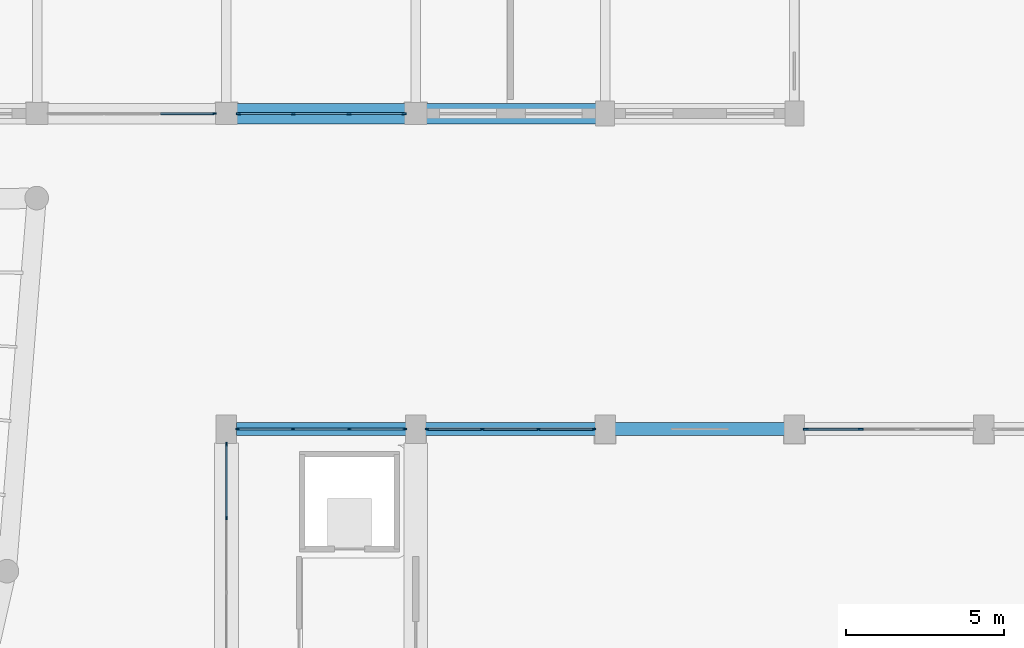
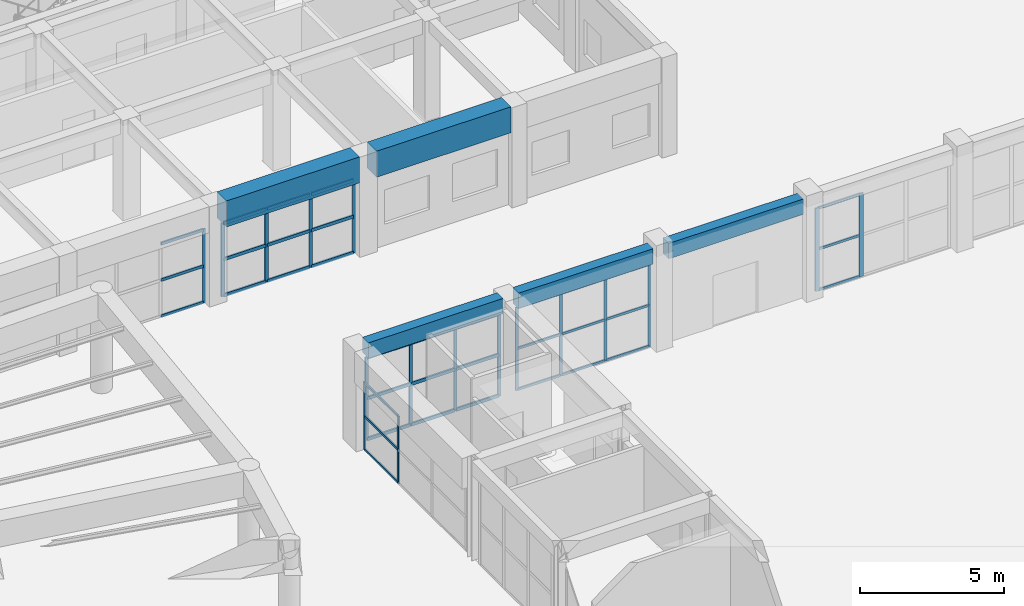
# One storey, part 25 of 76: 53 members, 5 beams, 6 elements without a shape of their own.
"""IFC4 building model written with IfcOpenShell, lengths in metres."""

from ifc_helpers import new_model, si_unit, direction, frame, origin, origin_2d, place, context, subcontext, project, spatial, rectangle, extrude, material, layer, layer_set, material_profile, profile_set, type_object, element, aggregate, save


model = new_model("IFC4")

# Units and contexts
model_context = context("Model", 3, precision=1e-05, world=origin(), true_north=direction((0.0, 1.0)))
body_context = subcontext(model_context, "Body", "Model", "MODEL_VIEW")
ifc_project = project(units=[si_unit("LENGTHUNIT", "METRE"), si_unit("AREAUNIT", "SQUARE_METRE"), si_unit("VOLUMEUNIT", "CUBIC_METRE"), si_unit("PLANEANGLEUNIT", "RADIAN"), si_unit("MASSUNIT", "GRAM", prefix="KILO"), si_unit("POWERUNIT", "WATT"), si_unit("THERMODYNAMICTEMPERATUREUNIT", "KELVIN")], contexts=[model_context])

# Site, building, storey
site_placement = place(None, origin())
site = spatial("IfcSite", under=ifc_project, at=site_placement, CompositionType="ELEMENT")
building_placement = place(site_placement, origin())
building = spatial("IfcBuilding", under=site, at=building_placement, Name="Ruvembo Vaulted Housing Court", CompositionType="ELEMENT")
storey_placement = place(building_placement, origin())
storey = spatial("IfcBuildingStorey", under=building, at=storey_placement, Name="L00", CompositionType="ELEMENT", Elevation=0.0)

# Beams
ifc_material_1 = material(Name="Concrete C35/45", Category="concrete")
ifc_material_profile_1 = material_profile(ifc_material_1, rectangle(XDim=0.39990234375, YDim=0.64990234375, at=origin_2d()), Name="RC 400x650")
ifc_profile_set_1 = profile_set([ifc_material_profile_1], Name="Concrete C35/45")
beam_type_1 = type_object("IfcBeamType", Name="BM-RC-400x650", PredefinedType="BEAM", material=ifc_profile_set_1)
for number, where, z_axis, x_axis, name in (
    (1, (66.31005859375, 68.0, 3.905029296875), (1.0, 0.0, 0.0), (0.0, 1.0, 0.0), "L00 Grid Beam X #845"),
    (2, (72.31005859375, 68.0, 3.905029296875), (1.0, 0.0, 0.0), (0.0, 1.0, 0.0), "L00 Grid Beam X #846"),
    (3, (78.31005859375, 68.0, 3.905029296875), (1.0, 0.0, 0.0), (0.0, 1.0, 0.0), "L00 Grid Beam X #847"),
):
    element("IfcBeam", number, at=place(storey_placement, frame(where, z_axis=z_axis, x_axis=x_axis)), inside=storey, type_object=beam_type_1, Name=name, PredefinedType="BEAM", context=body_context, shape_type="SweptSolid", body=[
        extrude(rectangle(XDim=0.39990234375, YDim=0.64990234375, at=origin_2d()), origin(), (0.0, 0.0, 1.0), 5.3798828125),
    ])

# Curtain wall, member
ifc_material_2 = material(Name="Anodised Aluminium and Solar-Control Glass", Category="aluminium")
ifc_layer_1 = layer(ifc_material_2, 0.159912109375, Name="Anodised Aluminium and Solar-Control Glass")
ifc_layer_set_1 = layer_set([ifc_layer_1], Name="Anodised Aluminium and Solar-Control Glass")
curtain_wall_type_1 = type_object("IfcCurtainWallType", Name="CW-LOBBY", PredefinedType="NOTDEFINED", material=ifc_layer_set_1)
curtain_wall_1_placement = place(storey_placement, origin())
curtain_wall_1 = element("IfcCurtainWall", 4, at=curtain_wall_1_placement, inside=storey, type_object=curtain_wall_type_1, Name="L00 Curtain Wall CW-L00-0003", PredefinedType="NOTDEFINED")
ifc_material_3 = material(Name="Anodised Aluminium 6063-T6", Category="aluminium")
ifc_material_profile_2 = material_profile(ifc_material_3, rectangle(XDim=0.054931640625, YDim=0.1201171875, at=origin_2d()), Name="ALU 55x120")
ifc_profile_set_2 = profile_set([ifc_material_profile_2], Name="Anodised Aluminium 6063-T6")
member_type_1 = type_object("IfcMemberType", Name="CW-MUL-55x120", PredefinedType="MULLION", material=ifc_profile_set_2)
member_1_placement = place(storey_placement, frame((65.62255859375, 78.0, 0.0), z_axis=(0.0, 0.0, 1.0), x_axis=(0.0, 1.0, 0.0)))
member_1 = element("IfcMember", 5, at=member_1_placement, type_object=member_type_1, Name="CW5 mullion 4", PredefinedType="MULLION", context=body_context, shape_type="SweptSolid", body=[
    extrude(rectangle(XDim=0.054931640625, YDim=0.1201171875, at=origin_2d()), origin(), (0.0, 0.0, 1.0), 3.112060546875),
])

# Curtain wall, members
ifc_layer_2 = layer(ifc_material_2, 0.159912109375, Name="Anodised Aluminium and Solar-Control Glass")
ifc_layer_set_2 = layer_set([ifc_layer_2], Name="Anodised Aluminium and Solar-Control Glass")
curtain_wall_type_2 = type_object("IfcCurtainWallType", Name="CW-HALL-SIDE", PredefinedType="NOTDEFINED", material=ifc_layer_set_2)
curtain_wall_2_placement = place(storey_placement, origin())
curtain_wall_2 = element("IfcCurtainWall", 6, at=curtain_wall_2_placement, inside=storey, type_object=curtain_wall_type_2, Name="L00 Curtain Wall CW-L00-0091", PredefinedType="NOTDEFINED")
member_2_placement = place(storey_placement, frame((66.3525390625, 68.0, 0.0), z_axis=(0.0, 0.0, 1.0), x_axis=(0.0, 1.0, 0.0)))
member_2 = element("IfcMember", 7, at=member_2_placement, type_object=member_type_1, Name="CW1 mullion 1", PredefinedType="MULLION", context=body_context, shape_type="SweptSolid", body=[
    extrude(rectangle(XDim=0.054931640625, YDim=0.1201171875, at=origin_2d()), origin(), (0.0, 0.0, 1.0), 3.511962890625),
])
member_3_placement = place(storey_placement, frame((68.1083984375, 68.0, 0.0), z_axis=(0.0, 0.0, 1.0), x_axis=(0.0, 1.0, 0.0)))
member_3 = element("IfcMember", 8, at=member_3_placement, type_object=member_type_1, Name="CW1 mullion 2", PredefinedType="MULLION", context=body_context, shape_type="SweptSolid", body=[
    extrude(rectangle(XDim=0.054931640625, YDim=0.1201171875, at=origin_2d()), origin(), (0.0, 0.0, 1.0), 3.511962890625),
])
member_4_placement = place(storey_placement, frame((69.8916015625, 68.0, 0.0), z_axis=(0.0, 0.0, 1.0), x_axis=(0.0, 1.0, 0.0)))
member_4 = element("IfcMember", 9, at=member_4_placement, type_object=member_type_1, Name="CW1 mullion 3", PredefinedType="MULLION", context=body_context, shape_type="SweptSolid", body=[
    extrude(rectangle(XDim=0.054931640625, YDim=0.1201171875, at=origin_2d()), origin(), (0.0, 0.0, 1.0), 3.511962890625),
])
member_5_placement = place(storey_placement, frame((71.6474609375, 68.0, 0.0), z_axis=(0.0, 0.0, 1.0), x_axis=(0.0, 1.0, 0.0)))
member_5 = element("IfcMember", 10, at=member_5_placement, type_object=member_type_1, Name="CW1 mullion 4", PredefinedType="MULLION", context=body_context, shape_type="SweptSolid", body=[
    extrude(rectangle(XDim=0.054931640625, YDim=0.1201171875, at=origin_2d()), origin(), (0.0, 0.0, 1.0), 3.511962890625),
])

curtain_wall_3_placement = place(storey_placement, origin())
curtain_wall_3 = element("IfcCurtainWall", 11, at=curtain_wall_3_placement, inside=storey, type_object=curtain_wall_type_2, Name="L00 Curtain Wall CW-L00-0095", PredefinedType="NOTDEFINED")
member_6_placement = place(storey_placement, frame((72.3525390625, 68.0, 0.0), z_axis=(0.0, 0.0, 1.0), x_axis=(0.0, 1.0, 0.0)))
member_6 = element("IfcMember", 12, at=member_6_placement, type_object=member_type_1, Name="CW1 mullion 1", PredefinedType="MULLION", context=body_context, shape_type="SweptSolid", body=[
    extrude(rectangle(XDim=0.054931640625, YDim=0.1201171875, at=origin_2d()), origin(), (0.0, 0.0, 1.0), 3.511962890625),
])
member_7_placement = place(storey_placement, frame((74.1083984375, 68.0, 0.0), z_axis=(0.0, 0.0, 1.0), x_axis=(0.0, 1.0, 0.0)))
member_7 = element("IfcMember", 13, at=member_7_placement, type_object=member_type_1, Name="CW1 mullion 2", PredefinedType="MULLION", context=body_context, shape_type="SweptSolid", body=[
    extrude(rectangle(XDim=0.054931640625, YDim=0.1201171875, at=origin_2d()), origin(), (0.0, 0.0, 1.0), 3.511962890625),
])
member_8_placement = place(storey_placement, frame((75.8916015625, 68.0, 0.0), z_axis=(0.0, 0.0, 1.0), x_axis=(0.0, 1.0, 0.0)))
member_8 = element("IfcMember", 14, at=member_8_placement, type_object=member_type_1, Name="CW1 mullion 3", PredefinedType="MULLION", context=body_context, shape_type="SweptSolid", body=[
    extrude(rectangle(XDim=0.054931640625, YDim=0.1201171875, at=origin_2d()), origin(), (0.0, 0.0, 1.0), 3.511962890625),
])
member_9_placement = place(storey_placement, frame((77.6474609375, 68.0, 0.0), z_axis=(0.0, 0.0, 1.0), x_axis=(0.0, 1.0, 0.0)))
member_9 = element("IfcMember", 15, at=member_9_placement, type_object=member_type_1, Name="CW1 mullion 4", PredefinedType="MULLION", context=body_context, shape_type="SweptSolid", body=[
    extrude(rectangle(XDim=0.054931640625, YDim=0.1201171875, at=origin_2d()), origin(), (0.0, 0.0, 1.0), 3.511962890625),
])

ifc_layer_3 = layer(ifc_material_2, 0.179931640625, Name="Anodised Aluminium and Solar-Control Glass")
ifc_layer_set_3 = layer_set([ifc_layer_3], Name="Anodised Aluminium and Solar-Control Glass")
curtain_wall_type_3 = type_object("IfcCurtainWallType", Name="CW-HALL-TYMP", PredefinedType="NOTDEFINED", material=ifc_layer_set_3)
curtain_wall_4_placement = place(storey_placement, origin())
curtain_wall_4 = element("IfcCurtainWall", 16, at=curtain_wall_4_placement, inside=storey, type_object=curtain_wall_type_3, Name="L00 Curtain Wall CW-L00-0119", PredefinedType="NOTDEFINED")
member_10_placement = place(storey_placement, frame((66.0, 65.183349609375, 0.0), z_axis=(0.0, 0.0, 1.0), x_axis=(-1.0, 0.0, 0.0)))
member_10 = element("IfcMember", 17, at=member_10_placement, type_object=member_type_1, Name="CW2 mullion 3", PredefinedType="MULLION", context=body_context, shape_type="SweptSolid", body=[
    extrude(rectangle(XDim=0.054931640625, YDim=0.1201171875, at=origin_2d()), origin(), (0.0, 0.0, 1.0), 2.862060546875),
])
member_11_placement = place(storey_placement, frame((66.0, 67.5224609375, 0.0), z_axis=(0.0, 0.0, 1.0), x_axis=(-1.0, 0.0, 0.0)))
member_11 = element("IfcMember", 18, at=member_11_placement, type_object=member_type_1, Name="CW2 mullion 4", PredefinedType="MULLION", context=body_context, shape_type="SweptSolid", body=[
    extrude(rectangle(XDim=0.054931640625, YDim=0.1201171875, at=origin_2d()), origin(), (0.0, 0.0, 1.0), 2.862060546875),
])

curtain_wall_5_placement = place(storey_placement, origin())
curtain_wall_5 = element("IfcCurtainWall", 19, at=curtain_wall_5_placement, inside=storey, type_object=curtain_wall_type_1, Name="L00 Curtain Wall CW-L00-0004", PredefinedType="NOTDEFINED")
ifc_material_profile_3 = material_profile(ifc_material_3, rectangle(XDim=0.06005859375, YDim=0.139892578125, at=origin_2d()), Name="ALU 60x140")
ifc_profile_set_3 = profile_set([ifc_material_profile_3], Name="Anodised Aluminium 6063-T6")
member_type_2 = type_object("IfcMemberType", Name="CW-MUL-60x140", PredefinedType="MULLION", material=ifc_profile_set_3)
member_12_placement = place(storey_placement, frame((66.3798828125, 78.0, 0.0), z_axis=(0.0, 0.0, 1.0), x_axis=(0.0, 1.0, 0.0)))
member_12 = element("IfcMember", 20, at=member_12_placement, type_object=member_type_2, Name="CW5 mullion 1", PredefinedType="MULLION", context=body_context, shape_type="SweptSolid", body=[
    extrude(rectangle(XDim=0.06005859375, YDim=0.139892578125, at=origin_2d()), origin(), (0.0, 0.0, 1.0), 3.112060546875),
])
member_13_placement = place(storey_placement, frame((68.11669921875, 78.0, 0.0), z_axis=(0.0, 0.0, 1.0), x_axis=(0.0, 1.0, 0.0)))
member_13 = element("IfcMember", 21, at=member_13_placement, type_object=member_type_2, Name="CW5 mullion 2", PredefinedType="MULLION", context=body_context, shape_type="SweptSolid", body=[
    extrude(rectangle(XDim=0.06005859375, YDim=0.139892578125, at=origin_2d()), origin(), (0.0, 0.0, 1.0), 3.112060546875),
])
member_14_placement = place(storey_placement, frame((69.88330078125, 78.0, 0.0), z_axis=(0.0, 0.0, 1.0), x_axis=(0.0, 1.0, 0.0)))
member_14 = element("IfcMember", 22, at=member_14_placement, type_object=member_type_2, Name="CW5 mullion 3", PredefinedType="MULLION", context=body_context, shape_type="SweptSolid", body=[
    extrude(rectangle(XDim=0.06005859375, YDim=0.139892578125, at=origin_2d()), origin(), (0.0, 0.0, 1.0), 3.112060546875),
])
member_15_placement = place(storey_placement, frame((71.6201171875, 78.0, 0.0), z_axis=(0.0, 0.0, 1.0), x_axis=(0.0, 1.0, 0.0)))
member_15 = element("IfcMember", 23, at=member_15_placement, type_object=member_type_2, Name="CW5 mullion 4", PredefinedType="MULLION", context=body_context, shape_type="SweptSolid", body=[
    extrude(rectangle(XDim=0.06005859375, YDim=0.139892578125, at=origin_2d()), origin(), (0.0, 0.0, 1.0), 3.112060546875),
])

curtain_wall_6_placement = place(storey_placement, origin())
curtain_wall_6 = element("IfcCurtainWall", 24, at=curtain_wall_6_placement, inside=storey, type_object=curtain_wall_type_2, Name="L00 Curtain Wall CW-L00-0101", PredefinedType="NOTDEFINED")
ifc_material_profile_4 = material_profile(ifc_material_3, rectangle(XDim=0.06005859375, YDim=0.159912109375, at=origin_2d()), Name="ALU 60x160")
ifc_profile_set_4 = profile_set([ifc_material_profile_4], Name="Anodised Aluminium 6063-T6")
member_type_3 = type_object("IfcMemberType", Name="CW-MULLION-65x150", PredefinedType="MULLION", material=ifc_profile_set_4)
member_16_placement = place(storey_placement, frame((84.35498046875, 68.0, 0.0), z_axis=(0.0, 0.0, 1.0), x_axis=(0.0, 1.0, 0.0)))
member_16 = element("IfcMember", 25, at=member_16_placement, type_object=member_type_3, Name="CW1 mullion 1", PredefinedType="MULLION", context=body_context, shape_type="SweptSolid", body=[
    extrude(rectangle(XDim=0.06005859375, YDim=0.159912109375, at=origin_2d()), origin(), (0.0, 0.0, 1.0), 3.511962890625),
])
member_17_placement = place(storey_placement, frame((86.1083984375, 68.0, 0.0), z_axis=(0.0, 0.0, 1.0), x_axis=(0.0, 1.0, 0.0)))
member_17 = element("IfcMember", 26, at=member_17_placement, type_object=member_type_3, Name="CW1 mullion 2", PredefinedType="MULLION", context=body_context, shape_type="SweptSolid", body=[
    extrude(rectangle(XDim=0.06005859375, YDim=0.159912109375, at=origin_2d()), origin(), (0.0, 0.0, 1.0), 3.511962890625),
])

# Member
ifc_material_profile_5 = material_profile(ifc_material_3, rectangle(XDim=0.06005859375, YDim=0.1201171875, at=origin_2d()), Name="ALU 60x120")
ifc_profile_set_5 = profile_set([ifc_material_profile_5], Name="Anodised Aluminium 6063-T6")
member_type_4 = type_object("IfcMemberType", Name="CW-TRANSOM-65x120", PredefinedType="USERDEFINED", material=ifc_profile_set_5)
member_18_placement = place(storey_placement, frame((63.910888671875, 78.0, 0.030029296875), z_axis=(1.0, 0.0, 0.0), x_axis=(0.0, 1.0, 0.0)))
member_18 = element("IfcMember", 27, at=member_18_placement, type_object=member_type_4, Name="CW5 transom 3.1", ObjectType="TRANSOM", PredefinedType="USERDEFINED", context=body_context, shape_type="SweptSolid", body=[
    extrude(rectangle(XDim=0.06005859375, YDim=0.1201171875, at=origin_2d()), origin(), (0.0, 0.0, 1.0), 1.68408203125),
])

member_19_placement = place(storey_placement, frame((63.910888671875, 78.0, 1.555908203125), z_axis=(1.0, 0.0, 0.0), x_axis=(0.0, 1.0, 0.0)))
member_19 = element("IfcMember", 28, at=member_19_placement, type_object=member_type_4, Name="CW5 transom 3.2", ObjectType="TRANSOM", PredefinedType="USERDEFINED", context=body_context, shape_type="SweptSolid", body=[
    extrude(rectangle(XDim=0.06005859375, YDim=0.1201171875, at=origin_2d()), origin(), (0.0, 0.0, 1.0), 1.68408203125),
])

member_20_placement = place(storey_placement, frame((63.910888671875, 78.0, 3.08203125), z_axis=(1.0, 0.0, 0.0), x_axis=(0.0, 1.0, 0.0)))
member_20 = element("IfcMember", 29, at=member_20_placement, type_object=member_type_4, Name="CW5 transom 3.3", ObjectType="TRANSOM", PredefinedType="USERDEFINED", context=body_context, shape_type="SweptSolid", body=[
    extrude(rectangle(XDim=0.06005859375, YDim=0.1201171875, at=origin_2d()), origin(), (0.0, 0.0, 1.0), 1.68408203125),
])

aggregate(curtain_wall_1, [member_1, member_18, member_19, member_20])

ifc_material_profile_6 = material_profile(ifc_material_3, rectangle(XDim=0.06005859375, YDim=0.10009765625, at=origin_2d()), Name="ALU 60x100")
ifc_profile_set_6 = profile_set([ifc_material_profile_6], Name="Anodised Aluminium 6063-T6")
member_type_5 = type_object("IfcMemberType", Name="CW-TRN-60x100", PredefinedType="USERDEFINED", material=ifc_profile_set_6)
member_21_placement = place(storey_placement, frame((72.3798828125, 68.0, 0.030029296875), z_axis=(1.0, 0.0, 0.0), x_axis=(0.0, 1.0, 0.0)))
member_21 = element("IfcMember", 30, at=member_21_placement, type_object=member_type_5, Name="CW1 transom 1.1", ObjectType="TRANSOM", PredefinedType="USERDEFINED", context=body_context, shape_type="SweptSolid", body=[
    extrude(rectangle(XDim=0.06005859375, YDim=0.10009765625, at=origin_2d()), origin(), (0.0, 0.0, 1.0), 1.700927734375),
])

member_22_placement = place(storey_placement, frame((72.3798828125, 68.0, 1.756103515625), z_axis=(1.0, 0.0, 0.0), x_axis=(0.0, 1.0, 0.0)))
member_22 = element("IfcMember", 31, at=member_22_placement, type_object=member_type_5, Name="CW1 transom 1.2", ObjectType="TRANSOM", PredefinedType="USERDEFINED", context=body_context, shape_type="SweptSolid", body=[
    extrude(rectangle(XDim=0.06005859375, YDim=0.10009765625, at=origin_2d()), origin(), (0.0, 0.0, 1.0), 1.700927734375),
])

member_23_placement = place(storey_placement, frame((72.3798828125, 68.0, 3.48193359375), z_axis=(1.0, 0.0, 0.0), x_axis=(0.0, 1.0, 0.0)))
member_23 = element("IfcMember", 32, at=member_23_placement, type_object=member_type_5, Name="CW1 transom 1.3", ObjectType="TRANSOM", PredefinedType="USERDEFINED", context=body_context, shape_type="SweptSolid", body=[
    extrude(rectangle(XDim=0.06005859375, YDim=0.10009765625, at=origin_2d()), origin(), (0.0, 0.0, 1.0), 1.700927734375),
])

member_24_placement = place(storey_placement, frame((74.1357421875, 68.0, 0.030029296875), z_axis=(1.0, 0.0, 0.0), x_axis=(0.0, 1.0, 0.0)))
member_24 = element("IfcMember", 33, at=member_24_placement, type_object=member_type_5, Name="CW1 transom 2.1", ObjectType="TRANSOM", PredefinedType="USERDEFINED", context=body_context, shape_type="SweptSolid", body=[
    extrude(rectangle(XDim=0.06005859375, YDim=0.10009765625, at=origin_2d()), origin(), (0.0, 0.0, 1.0), 1.728515625),
])

member_25_placement = place(storey_placement, frame((74.1357421875, 68.0, 1.756103515625), z_axis=(1.0, 0.0, 0.0), x_axis=(0.0, 1.0, 0.0)))
member_25 = element("IfcMember", 34, at=member_25_placement, type_object=member_type_5, Name="CW1 transom 2.2", ObjectType="TRANSOM", PredefinedType="USERDEFINED", context=body_context, shape_type="SweptSolid", body=[
    extrude(rectangle(XDim=0.06005859375, YDim=0.10009765625, at=origin_2d()), origin(), (0.0, 0.0, 1.0), 1.728515625),
])

member_26_placement = place(storey_placement, frame((74.1357421875, 68.0, 3.48193359375), z_axis=(1.0, 0.0, 0.0), x_axis=(0.0, 1.0, 0.0)))
member_26 = element("IfcMember", 35, at=member_26_placement, type_object=member_type_5, Name="CW1 transom 2.3", ObjectType="TRANSOM", PredefinedType="USERDEFINED", context=body_context, shape_type="SweptSolid", body=[
    extrude(rectangle(XDim=0.06005859375, YDim=0.10009765625, at=origin_2d()), origin(), (0.0, 0.0, 1.0), 1.728515625),
])

member_27_placement = place(storey_placement, frame((75.919189453125, 68.0, 0.030029296875), z_axis=(1.0, 0.0, 0.0), x_axis=(0.0, 1.0, 0.0)))
member_27 = element("IfcMember", 36, at=member_27_placement, type_object=member_type_5, Name="CW1 transom 3.1", ObjectType="TRANSOM", PredefinedType="USERDEFINED", context=body_context, shape_type="SweptSolid", body=[
    extrude(rectangle(XDim=0.06005859375, YDim=0.10009765625, at=origin_2d()), origin(), (0.0, 0.0, 1.0), 1.700927734375),
])

member_28_placement = place(storey_placement, frame((75.919189453125, 68.0, 1.756103515625), z_axis=(1.0, 0.0, 0.0), x_axis=(0.0, 1.0, 0.0)))
member_28 = element("IfcMember", 37, at=member_28_placement, type_object=member_type_5, Name="CW1 transom 3.2", ObjectType="TRANSOM", PredefinedType="USERDEFINED", context=body_context, shape_type="SweptSolid", body=[
    extrude(rectangle(XDim=0.06005859375, YDim=0.10009765625, at=origin_2d()), origin(), (0.0, 0.0, 1.0), 1.700927734375),
])

member_29_placement = place(storey_placement, frame((75.919189453125, 68.0, 3.48193359375), z_axis=(1.0, 0.0, 0.0), x_axis=(0.0, 1.0, 0.0)))
member_29 = element("IfcMember", 38, at=member_29_placement, type_object=member_type_5, Name="CW1 transom 3.3", ObjectType="TRANSOM", PredefinedType="USERDEFINED", context=body_context, shape_type="SweptSolid", body=[
    extrude(rectangle(XDim=0.06005859375, YDim=0.10009765625, at=origin_2d()), origin(), (0.0, 0.0, 1.0), 1.700927734375),
])

aggregate(curtain_wall_3, [member_6, member_7, member_8, member_9, member_21, member_22, member_23, member_24, member_25, member_26, member_27, member_28, member_29])

member_30_placement = place(storey_placement, frame((84.385009765625, 68.0, 0.030029296875), z_axis=(1.0, 0.0, 0.0), x_axis=(0.0, 1.0, 0.0)))
member_30 = element("IfcMember", 39, at=member_30_placement, type_object=member_type_5, Name="CW1 transom 1.1", ObjectType="TRANSOM", PredefinedType="USERDEFINED", context=body_context, shape_type="SweptSolid", body=[
    extrude(rectangle(XDim=0.06005859375, YDim=0.10009765625, at=origin_2d()), origin(), (0.0, 0.0, 1.0), 1.693359375),
])

member_31_placement = place(storey_placement, frame((84.385009765625, 68.0, 1.756103515625), z_axis=(1.0, 0.0, 0.0), x_axis=(0.0, 1.0, 0.0)))
member_31 = element("IfcMember", 40, at=member_31_placement, type_object=member_type_5, Name="CW1 transom 1.2", ObjectType="TRANSOM", PredefinedType="USERDEFINED", context=body_context, shape_type="SweptSolid", body=[
    extrude(rectangle(XDim=0.06005859375, YDim=0.10009765625, at=origin_2d()), origin(), (0.0, 0.0, 1.0), 1.693359375),
])

member_32_placement = place(storey_placement, frame((84.385009765625, 68.0, 3.48193359375), z_axis=(1.0, 0.0, 0.0), x_axis=(0.0, 1.0, 0.0)))
member_32 = element("IfcMember", 41, at=member_32_placement, type_object=member_type_5, Name="CW1 transom 1.3", ObjectType="TRANSOM", PredefinedType="USERDEFINED", context=body_context, shape_type="SweptSolid", body=[
    extrude(rectangle(XDim=0.06005859375, YDim=0.10009765625, at=origin_2d()), origin(), (0.0, 0.0, 1.0), 1.693359375),
])

aggregate(curtain_wall_6, [member_16, member_17, member_30, member_31, member_32])

member_33_placement = place(storey_placement, frame((66.0, 65.2109375, 0.030029296875), z_axis=(0.0, 1.0, 0.0), x_axis=(-1.0, 0.0, 0.0)))
member_33 = element("IfcMember", 42, at=member_33_placement, type_object=member_type_5, Name="CW2 transom 3.1", ObjectType="TRANSOM", PredefinedType="USERDEFINED", context=body_context, shape_type="SweptSolid", body=[
    extrude(rectangle(XDim=0.06005859375, YDim=0.10009765625, at=origin_2d()), origin(), (0.0, 0.0, 1.0), 2.2841796875),
])

member_34_placement = place(storey_placement, frame((66.0, 65.2109375, 1.430908203125), z_axis=(0.0, 1.0, 0.0), x_axis=(-1.0, 0.0, 0.0)))
member_34 = element("IfcMember", 43, at=member_34_placement, type_object=member_type_5, Name="CW2 transom 3.2", ObjectType="TRANSOM", PredefinedType="USERDEFINED", context=body_context, shape_type="SweptSolid", body=[
    extrude(rectangle(XDim=0.06005859375, YDim=0.10009765625, at=origin_2d()), origin(), (0.0, 0.0, 1.0), 2.2841796875),
])

member_35_placement = place(storey_placement, frame((66.0, 65.2109375, 2.83203125), z_axis=(0.0, 1.0, 0.0), x_axis=(-1.0, 0.0, 0.0)))
member_35 = element("IfcMember", 44, at=member_35_placement, type_object=member_type_5, Name="CW2 transom 3.3", ObjectType="TRANSOM", PredefinedType="USERDEFINED", context=body_context, shape_type="SweptSolid", body=[
    extrude(rectangle(XDim=0.06005859375, YDim=0.10009765625, at=origin_2d()), origin(), (0.0, 0.0, 1.0), 2.2841796875),
])

aggregate(curtain_wall_4, [member_10, member_11, member_33, member_34, member_35])

ifc_material_profile_7 = material_profile(ifc_material_3, rectangle(XDim=0.06494140625, YDim=0.135009765625, at=origin_2d()), Name="ALU 65x135")
ifc_profile_set_7 = profile_set([ifc_material_profile_7], Name="Anodised Aluminium 6063-T6")
member_type_6 = type_object("IfcMemberType", Name="CW-TRN-65x135", PredefinedType="USERDEFINED", material=ifc_profile_set_7)
member_36_placement = place(storey_placement, frame((66.409912109375, 78.0, 0.032470703125), z_axis=(1.0, 0.0, 0.0), x_axis=(0.0, 1.0, 0.0)))
member_36 = element("IfcMember", 45, at=member_36_placement, type_object=member_type_6, Name="CW5 transom 1.1", ObjectType="TRANSOM", PredefinedType="USERDEFINED", context=body_context, shape_type="SweptSolid", body=[
    extrude(rectangle(XDim=0.06494140625, YDim=0.135009765625, at=origin_2d()), origin(), (0.0, 0.0, 1.0), 1.6767578125),
])

member_37_placement = place(storey_placement, frame((66.409912109375, 78.0, 1.555908203125), z_axis=(1.0, 0.0, 0.0), x_axis=(0.0, 1.0, 0.0)))
member_37 = element("IfcMember", 46, at=member_37_placement, type_object=member_type_6, Name="CW5 transom 1.2", ObjectType="TRANSOM", PredefinedType="USERDEFINED", context=body_context, shape_type="SweptSolid", body=[
    extrude(rectangle(XDim=0.06494140625, YDim=0.135009765625, at=origin_2d()), origin(), (0.0, 0.0, 1.0), 1.6767578125),
])

member_38_placement = place(storey_placement, frame((66.409912109375, 78.0, 3.07958984375), z_axis=(1.0, 0.0, 0.0), x_axis=(0.0, 1.0, 0.0)))
member_38 = element("IfcMember", 47, at=member_38_placement, type_object=member_type_6, Name="CW5 transom 1.3", ObjectType="TRANSOM", PredefinedType="USERDEFINED", context=body_context, shape_type="SweptSolid", body=[
    extrude(rectangle(XDim=0.06494140625, YDim=0.135009765625, at=origin_2d()), origin(), (0.0, 0.0, 1.0), 1.6767578125),
])

member_39_placement = place(storey_placement, frame((68.146728515625, 78.0, 0.032470703125), z_axis=(1.0, 0.0, 0.0), x_axis=(0.0, 1.0, 0.0)))
member_39 = element("IfcMember", 48, at=member_39_placement, type_object=member_type_6, Name="CW5 transom 2.1", ObjectType="TRANSOM", PredefinedType="USERDEFINED", context=body_context, shape_type="SweptSolid", body=[
    extrude(rectangle(XDim=0.06494140625, YDim=0.135009765625, at=origin_2d()), origin(), (0.0, 0.0, 1.0), 1.70654296875),
])

member_40_placement = place(storey_placement, frame((68.146728515625, 78.0, 1.555908203125), z_axis=(1.0, 0.0, 0.0), x_axis=(0.0, 1.0, 0.0)))
member_40 = element("IfcMember", 49, at=member_40_placement, type_object=member_type_6, Name="CW5 transom 2.2", ObjectType="TRANSOM", PredefinedType="USERDEFINED", context=body_context, shape_type="SweptSolid", body=[
    extrude(rectangle(XDim=0.06494140625, YDim=0.135009765625, at=origin_2d()), origin(), (0.0, 0.0, 1.0), 1.70654296875),
])

member_41_placement = place(storey_placement, frame((68.146728515625, 78.0, 3.07958984375), z_axis=(1.0, 0.0, 0.0), x_axis=(0.0, 1.0, 0.0)))
member_41 = element("IfcMember", 50, at=member_41_placement, type_object=member_type_6, Name="CW5 transom 2.3", ObjectType="TRANSOM", PredefinedType="USERDEFINED", context=body_context, shape_type="SweptSolid", body=[
    extrude(rectangle(XDim=0.06494140625, YDim=0.135009765625, at=origin_2d()), origin(), (0.0, 0.0, 1.0), 1.70654296875),
])

member_42_placement = place(storey_placement, frame((69.913330078125, 78.0, 0.032470703125), z_axis=(1.0, 0.0, 0.0), x_axis=(0.0, 1.0, 0.0)))
member_42 = element("IfcMember", 51, at=member_42_placement, type_object=member_type_6, Name="CW5 transom 3.1", ObjectType="TRANSOM", PredefinedType="USERDEFINED", context=body_context, shape_type="SweptSolid", body=[
    extrude(rectangle(XDim=0.06494140625, YDim=0.135009765625, at=origin_2d()), origin(), (0.0, 0.0, 1.0), 1.6767578125),
])

member_43_placement = place(storey_placement, frame((69.913330078125, 78.0, 1.555908203125), z_axis=(1.0, 0.0, 0.0), x_axis=(0.0, 1.0, 0.0)))
member_43 = element("IfcMember", 52, at=member_43_placement, type_object=member_type_6, Name="CW5 transom 3.2", ObjectType="TRANSOM", PredefinedType="USERDEFINED", context=body_context, shape_type="SweptSolid", body=[
    extrude(rectangle(XDim=0.06494140625, YDim=0.135009765625, at=origin_2d()), origin(), (0.0, 0.0, 1.0), 1.6767578125),
])

member_44_placement = place(storey_placement, frame((69.913330078125, 78.0, 3.07958984375), z_axis=(1.0, 0.0, 0.0), x_axis=(0.0, 1.0, 0.0)))
member_44 = element("IfcMember", 53, at=member_44_placement, type_object=member_type_6, Name="CW5 transom 3.3", ObjectType="TRANSOM", PredefinedType="USERDEFINED", context=body_context, shape_type="SweptSolid", body=[
    extrude(rectangle(XDim=0.06494140625, YDim=0.135009765625, at=origin_2d()), origin(), (0.0, 0.0, 1.0), 1.6767578125),
])

aggregate(curtain_wall_5, [member_12, member_13, member_14, member_15, member_36, member_37, member_38, member_39, member_40, member_41, member_42, member_43, member_44])

member_45_placement = place(storey_placement, frame((66.3798828125, 68.0, 0.032470703125), z_axis=(1.0, 0.0, 0.0), x_axis=(0.0, 1.0, 0.0)))
member_45 = element("IfcMember", 54, at=member_45_placement, type_object=member_type_6, Name="CW1 transom 1.1", ObjectType="TRANSOM", PredefinedType="USERDEFINED", context=body_context, shape_type="SweptSolid", body=[
    extrude(rectangle(XDim=0.06494140625, YDim=0.135009765625, at=origin_2d()), origin(), (0.0, 0.0, 1.0), 1.700927734375),
])

member_46_placement = place(storey_placement, frame((66.3798828125, 68.0, 1.756103515625), z_axis=(1.0, 0.0, 0.0), x_axis=(0.0, 1.0, 0.0)))
member_46 = element("IfcMember", 55, at=member_46_placement, type_object=member_type_6, Name="CW1 transom 1.2", ObjectType="TRANSOM", PredefinedType="USERDEFINED", context=body_context, shape_type="SweptSolid", body=[
    extrude(rectangle(XDim=0.06494140625, YDim=0.135009765625, at=origin_2d()), origin(), (0.0, 0.0, 1.0), 1.700927734375),
])

member_47_placement = place(storey_placement, frame((66.3798828125, 68.0, 3.4794921875), z_axis=(1.0, 0.0, 0.0), x_axis=(0.0, 1.0, 0.0)))
member_47 = element("IfcMember", 56, at=member_47_placement, type_object=member_type_6, Name="CW1 transom 1.3", ObjectType="TRANSOM", PredefinedType="USERDEFINED", context=body_context, shape_type="SweptSolid", body=[
    extrude(rectangle(XDim=0.06494140625, YDim=0.135009765625, at=origin_2d()), origin(), (0.0, 0.0, 1.0), 1.700927734375),
])

member_48_placement = place(storey_placement, frame((68.1357421875, 68.0, 0.032470703125), z_axis=(1.0, 0.0, 0.0), x_axis=(0.0, 1.0, 0.0)))
member_48 = element("IfcMember", 57, at=member_48_placement, type_object=member_type_6, Name="CW1 transom 2.1", ObjectType="TRANSOM", PredefinedType="USERDEFINED", context=body_context, shape_type="SweptSolid", body=[
    extrude(rectangle(XDim=0.06494140625, YDim=0.135009765625, at=origin_2d()), origin(), (0.0, 0.0, 1.0), 1.728515625),
])

member_49_placement = place(storey_placement, frame((68.1357421875, 68.0, 1.756103515625), z_axis=(1.0, 0.0, 0.0), x_axis=(0.0, 1.0, 0.0)))
member_49 = element("IfcMember", 58, at=member_49_placement, type_object=member_type_6, Name="CW1 transom 2.2", ObjectType="TRANSOM", PredefinedType="USERDEFINED", context=body_context, shape_type="SweptSolid", body=[
    extrude(rectangle(XDim=0.06494140625, YDim=0.135009765625, at=origin_2d()), origin(), (0.0, 0.0, 1.0), 1.728515625),
])

member_50_placement = place(storey_placement, frame((68.1357421875, 68.0, 3.4794921875), z_axis=(1.0, 0.0, 0.0), x_axis=(0.0, 1.0, 0.0)))
member_50 = element("IfcMember", 59, at=member_50_placement, type_object=member_type_6, Name="CW1 transom 2.3", ObjectType="TRANSOM", PredefinedType="USERDEFINED", context=body_context, shape_type="SweptSolid", body=[
    extrude(rectangle(XDim=0.06494140625, YDim=0.135009765625, at=origin_2d()), origin(), (0.0, 0.0, 1.0), 1.728515625),
])

member_51_placement = place(storey_placement, frame((69.919189453125, 68.0, 0.032470703125), z_axis=(1.0, 0.0, 0.0), x_axis=(0.0, 1.0, 0.0)))
member_51 = element("IfcMember", 60, at=member_51_placement, type_object=member_type_6, Name="CW1 transom 3.1", ObjectType="TRANSOM", PredefinedType="USERDEFINED", context=body_context, shape_type="SweptSolid", body=[
    extrude(rectangle(XDim=0.06494140625, YDim=0.135009765625, at=origin_2d()), origin(), (0.0, 0.0, 1.0), 1.700927734375),
])

member_52_placement = place(storey_placement, frame((69.919189453125, 68.0, 1.756103515625), z_axis=(1.0, 0.0, 0.0), x_axis=(0.0, 1.0, 0.0)))
member_52 = element("IfcMember", 61, at=member_52_placement, type_object=member_type_6, Name="CW1 transom 3.2", ObjectType="TRANSOM", PredefinedType="USERDEFINED", context=body_context, shape_type="SweptSolid", body=[
    extrude(rectangle(XDim=0.06494140625, YDim=0.135009765625, at=origin_2d()), origin(), (0.0, 0.0, 1.0), 1.700927734375),
])

member_53_placement = place(storey_placement, frame((69.919189453125, 68.0, 3.4794921875), z_axis=(1.0, 0.0, 0.0), x_axis=(0.0, 1.0, 0.0)))
member_53 = element("IfcMember", 62, at=member_53_placement, type_object=member_type_6, Name="CW1 transom 3.3", ObjectType="TRANSOM", PredefinedType="USERDEFINED", context=body_context, shape_type="SweptSolid", body=[
    extrude(rectangle(XDim=0.06494140625, YDim=0.135009765625, at=origin_2d()), origin(), (0.0, 0.0, 1.0), 1.700927734375),
])

aggregate(curtain_wall_2, [member_2, member_3, member_4, member_5, member_45, member_46, member_47, member_48, member_49, member_50, member_51, member_52, member_53])

# Beams
ifc_material_4 = material(Name="Concrete C40/50", Category="concrete")
ifc_material_profile_8 = material_profile(ifc_material_4, rectangle(XDim=0.64990234375, YDim=1.10009765625, at=origin_2d()), Name="RC 650x1100")
ifc_profile_set_8 = profile_set([ifc_material_profile_8], Name="Concrete C40/50")
beam_type_2 = type_object("IfcBeamType", Name="TB-RC-650x1100", PredefinedType="BEAM", material=ifc_profile_set_8)
beam_1_placement = place(storey_placement, frame((66.3349609375, 78.0, 3.679931640625), z_axis=(1.0, 0.0, 0.0), x_axis=(0.0, 1.0, 0.0)))
element("IfcBeam", 63, at=beam_1_placement, inside=storey, type_object=beam_type_2, Name="L00 Grid Beam X #861", PredefinedType="BEAM", context=body_context, shape_type="SweptSolid", body=[
    extrude(rectangle(XDim=0.64990234375, YDim=1.10009765625, at=origin_2d()), origin(), (0.0, 0.0, 1.0), 5.330078125),
])
beam_2_placement = place(storey_placement, frame((72.3349609375, 78.0, 3.679931640625), z_axis=(1.0, 0.0, 0.0), x_axis=(0.0, 1.0, 0.0)))
element("IfcBeam", 64, at=beam_2_placement, inside=storey, type_object=beam_type_2, Name="L00 Grid Beam X #862", PredefinedType="BEAM", context=body_context, shape_type="SweptSolid", body=[
    extrude(rectangle(XDim=0.64990234375, YDim=1.10009765625, at=origin_2d()), origin(), (0.0, 0.0, 1.0), 5.380126953125),
])

save(model, "model.ifc")
